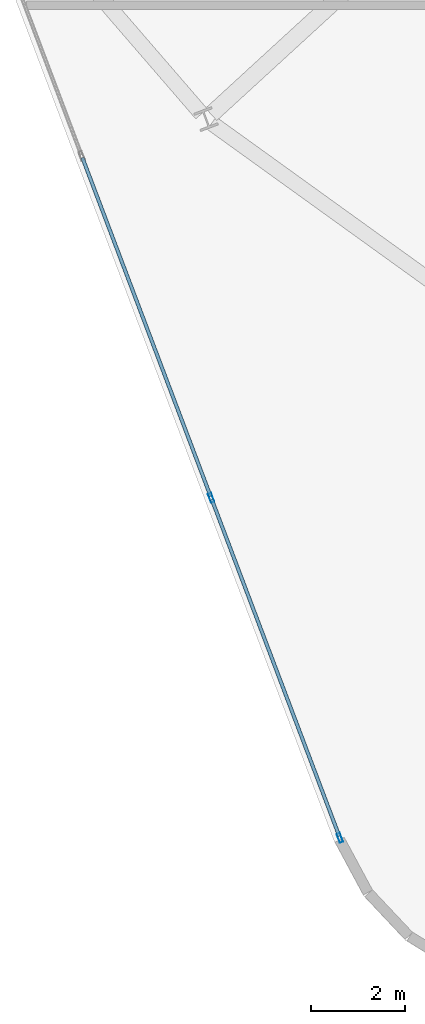
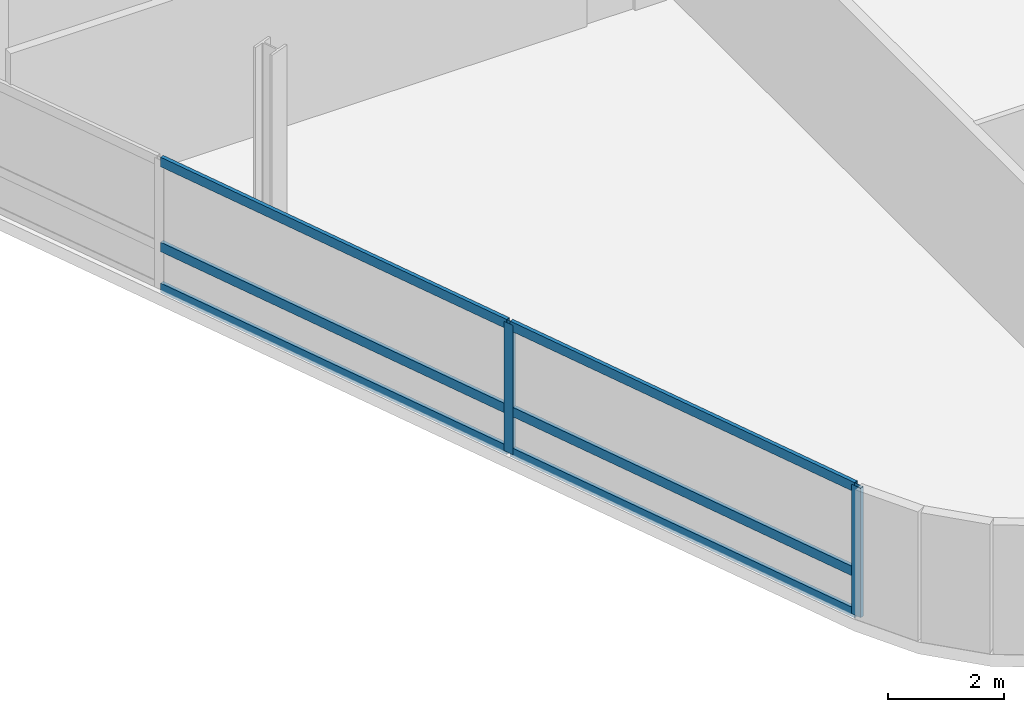
# One storey, part 3 of 20: 8 members, 1 element without a shape of its own.
"""IFC4 building model written with IfcOpenShell, lengths in metres."""

from ifc_helpers import new_model, si_unit, direction, frame, origin, origin_2d, place, context, subcontext, project, spatial, hollow_rectangle, extrude, material, layer, layer_set, material_profile, profile_set, type_object, element, aggregate, save


model = new_model("IFC4")

# Units and contexts
model_context = context("Model", 3, precision=1e-05, world=origin(), true_north=direction((0.0, 1.0)))
body_context = subcontext(model_context, "Body", "Model", "MODEL_VIEW")
ifc_project = project(units=[si_unit("LENGTHUNIT", "METRE"), si_unit("AREAUNIT", "SQUARE_METRE"), si_unit("VOLUMEUNIT", "CUBIC_METRE"), si_unit("PLANEANGLEUNIT", "RADIAN"), si_unit("MASSUNIT", "GRAM", prefix="KILO")], contexts=[model_context])

# Site, building, storey
site_placement = place(None, origin())
site = spatial("IfcSite", under=ifc_project, at=site_placement, CompositionType="ELEMENT")
building_placement = place(site_placement, origin())
building = spatial("IfcBuilding", under=site, at=building_placement, Name="Varnelok Gate Tower", CompositionType="ELEMENT")
storey_placement = place(building_placement, frame((0.0, 0.0, 220.10009765625)))
storey = spatial("IfcBuildingStorey", under=building, at=storey_placement, Name="L56", CompositionType="ELEMENT", Elevation=220.10009765625)

# Curtain wall, members
ifc_material = material(Name="Anodized Aluminum Alloy 6063-T6", Category="aluminium")
ifc_layer = layer(ifc_material, 0.179931640625)
ifc_layer_set = layer_set([ifc_layer], Name="Anodized Aluminum Alloy 6063-T6")
curtain_wall_type = type_object("IfcCurtainWallType", Name="CW4-RESIDENCE-VISION", PredefinedType="USERDEFINED", material=ifc_layer_set)
curtain_wall_placement = place(storey_placement, origin())
curtain_wall = element("IfcCurtainWall", 1, at=curtain_wall_placement, inside=storey, type_object=curtain_wall_type, Name="L56 West End Vision Curtain Wall", ObjectType="UNITISED CURTAIN WALL", PredefinedType="USERDEFINED")
ifc_material_profile_1 = material_profile(ifc_material, hollow_rectangle(XDim=0.074951171875, YDim=0.199951171875, WallThickness=0.00390625, at=origin_2d()), Name="ALU200X75X4")
ifc_profile_set_1 = profile_set([ifc_material_profile_1], Name="Anodized Aluminum Alloy 6063-T6")
member_type_1 = type_object("IfcMemberType", Name="CW-MULL-200", PredefinedType="MULLION", material=ifc_profile_set_1)
member_1_placement = place(storey_placement, frame((13.88525390625, -0.92431640625, 0.0), z_axis=(0.0, 0.0, 1.0), x_axis=(-0.935221557832, -0.354063042079, 0.0)))
member_1 = element("IfcMember", 2, at=member_1_placement, type_object=member_type_1, Name="CW4 mullion 1", PredefinedType="MULLION", context=body_context, shape_type="SweptSolid", body=[
    extrude(hollow_rectangle(XDim=0.074951171875, YDim=0.199951171875, WallThickness=0.00390625, at=origin_2d()), origin(), (0.0, 0.0, 1.0), 2.72998046875),
])
member_2_placement = place(storey_placement, frame((11.13671875, 6.33544921875, 0.0), z_axis=(0.0, 0.0, 1.0), x_axis=(-0.935221557832, -0.354063042079, 0.0)))
member_2 = element("IfcMember", 3, at=member_2_placement, type_object=member_type_1, Name="CW4 mullion 2", PredefinedType="MULLION", context=body_context, shape_type="SweptSolid", body=[
    extrude(hollow_rectangle(XDim=0.074951171875, YDim=0.199951171875, WallThickness=0.00390625, at=origin_2d()), origin(), (0.0, 0.0, 1.0), 2.72998046875),
])
ifc_material_profile_2 = material_profile(ifc_material, hollow_rectangle(XDim=0.074951171875, YDim=0.199951171875, WallThickness=0.00390625, at=origin_2d()), Name="ALU200X75X4")
ifc_profile_set_2 = profile_set([ifc_material_profile_2], Name="Anodized Aluminum Alloy 6063-T6")
member_type_2 = type_object("IfcMemberType", Name="CW-TRAN-200", PredefinedType="USERDEFINED", material=ifc_profile_set_2)
member_3_placement = place(storey_placement, frame((13.871826171875, -0.88916015625, 0.037353515625), z_axis=(-0.354045264669, 0.935228287941, 0.0), x_axis=(-0.935228287941, -0.354045264669, 0.0)))
member_3 = element("IfcMember", 4, at=member_3_placement, type_object=member_type_2, Name="CW4 transom 1.1", ObjectType="TRANSOM", PredefinedType="USERDEFINED", context=body_context, shape_type="SweptSolid", body=[
    extrude(hollow_rectangle(XDim=0.074951171875, YDim=0.199951171875, WallThickness=0.00390625, at=origin_2d()), origin(), (0.0, 0.0, 1.0), 7.687255859375),
])
member_4_placement = place(storey_placement, frame((13.871826171875, -0.88916015625, 0.89990234375), z_axis=(-0.354045264669, 0.935228287941, 0.0), x_axis=(-0.935228287941, -0.354045264669, 0.0)))
member_4 = element("IfcMember", 5, at=member_4_placement, type_object=member_type_2, Name="CW4 transom 1.2", ObjectType="TRANSOM", PredefinedType="USERDEFINED", context=body_context, shape_type="SweptSolid", body=[
    extrude(hollow_rectangle(XDim=0.074951171875, YDim=0.199951171875, WallThickness=0.00390625, at=origin_2d()), origin(), (0.0, 0.0, 1.0), 7.687255859375),
])
member_5_placement = place(storey_placement, frame((13.871826171875, -0.88916015625, 2.6923828125), z_axis=(-0.354045264669, 0.935228287941, 0.0), x_axis=(-0.935228287941, -0.354045264669, 0.0)))
member_5 = element("IfcMember", 6, at=member_5_placement, type_object=member_type_2, Name="CW4 transom 1.3", ObjectType="TRANSOM", PredefinedType="USERDEFINED", context=body_context, shape_type="SweptSolid", body=[
    extrude(hollow_rectangle(XDim=0.074951171875, YDim=0.199951171875, WallThickness=0.00390625, at=origin_2d()), origin(), (0.0, 0.0, 1.0), 7.687255859375),
])
member_6_placement = place(storey_placement, frame((11.12353515625, 6.370361328125, 0.037353515625), z_axis=(-0.354058714128, 0.935223196328, 0.0), x_axis=(-0.935223196328, -0.354058714128, 0.0)))
member_6 = element("IfcMember", 7, at=member_6_placement, type_object=member_type_2, Name="CW4 transom 2.1", ObjectType="TRANSOM", PredefinedType="USERDEFINED", context=body_context, shape_type="SweptSolid", body=[
    extrude(hollow_rectangle(XDim=0.074951171875, YDim=0.199951171875, WallThickness=0.00390625, at=origin_2d()), origin(), (0.0, 0.0, 1.0), 7.72509765625),
])
member_7_placement = place(storey_placement, frame((11.12353515625, 6.370361328125, 0.89990234375), z_axis=(-0.354058714128, 0.935223196328, 0.0), x_axis=(-0.935223196328, -0.354058714128, 0.0)))
member_7 = element("IfcMember", 8, at=member_7_placement, type_object=member_type_2, Name="CW4 transom 2.2", ObjectType="TRANSOM", PredefinedType="USERDEFINED", context=body_context, shape_type="SweptSolid", body=[
    extrude(hollow_rectangle(XDim=0.074951171875, YDim=0.199951171875, WallThickness=0.00390625, at=origin_2d()), origin(), (0.0, 0.0, 1.0), 7.72509765625),
])
member_8_placement = place(storey_placement, frame((11.12353515625, 6.370361328125, 2.6923828125), z_axis=(-0.354058714128, 0.935223196328, 0.0), x_axis=(-0.935223196328, -0.354058714128, 0.0)))
member_8 = element("IfcMember", 9, at=member_8_placement, type_object=member_type_2, Name="CW4 transom 2.3", ObjectType="TRANSOM", PredefinedType="USERDEFINED", context=body_context, shape_type="SweptSolid", body=[
    extrude(hollow_rectangle(XDim=0.074951171875, YDim=0.199951171875, WallThickness=0.00390625, at=origin_2d()), origin(), (0.0, 0.0, 1.0), 7.72509765625),
])
aggregate(curtain_wall, [member_1, member_2, member_3, member_4, member_5, member_6, member_7, member_8])

save(model, "model.ifc")
